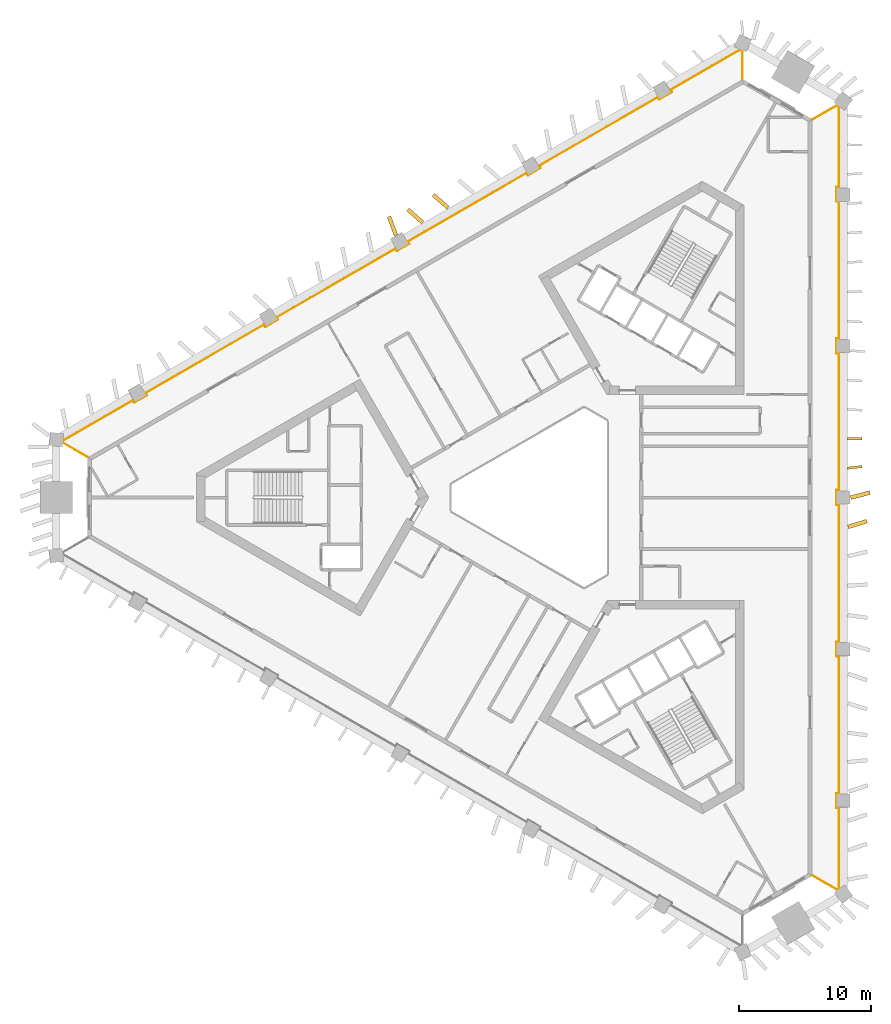
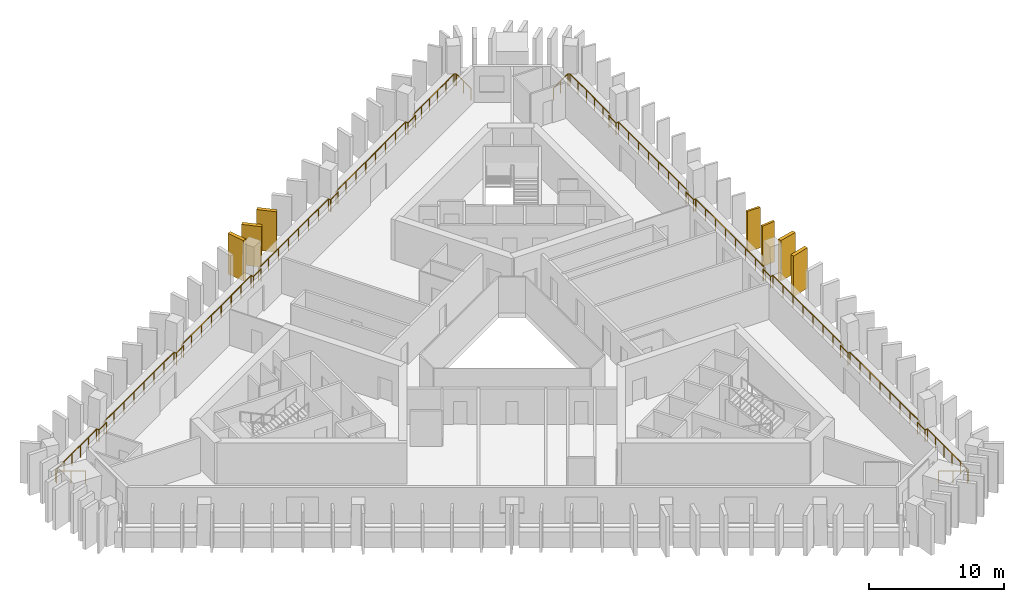
# One storey, part 9 of 10: 7 shading devices, 2 railings.
"""IFC4 building model written with IfcOpenShell, lengths in metres."""

from ifc_helpers import new_model, si_unit, direction, frame, frame_2d, origin, origin_2d, place, context, subcontext, project, spatial, rectangle, circle, extrude, material, layer, layer_set, type_object, element, save


model = new_model("IFC4")

# Units and contexts
model_context = context("Model", 3, precision=1e-05, world=origin(), true_north=direction((0.0, 1.0)))
body_context = subcontext(model_context, "Body", "Model", "MODEL_VIEW")
ifc_project = project(units=[si_unit("LENGTHUNIT", "METRE"), si_unit("AREAUNIT", "SQUARE_METRE"), si_unit("VOLUMEUNIT", "CUBIC_METRE"), si_unit("PLANEANGLEUNIT", "RADIAN"), si_unit("MASSUNIT", "GRAM", prefix="KILO")], contexts=[model_context])

# Site, building, storey
site_placement = place(None, origin())
site = spatial("IfcSite", under=ifc_project, at=site_placement, CompositionType="ELEMENT")
building_placement = place(site_placement, origin())
building = spatial("IfcBuilding", under=site, at=building_placement, Name="Jabali Bay Hotel Tower and Convention Centre", CompositionType="ELEMENT")
storey_placement = place(building_placement, frame((0.0, 0.0, 110.5)))
storey = spatial("IfcBuildingStorey", under=building, at=storey_placement, Name="L26", CompositionType="ELEMENT", Elevation=110.5)

# Railings
ifc_material_1 = material(Name="Glass", Category="glass")
railing_type = type_object("IfcRailingType", Name="Loggia glass guard 1100", PredefinedType="BALUSTRADE", material=ifc_material_1)
railing_1_placement = place(storey_placement, frame((95.07470703125, 108.634033203125, 0.0)))
element("IfcRailing", 1, at=railing_1_placement, inside=storey, type_object=railing_type, Name="Loggia glass guard L26", PredefinedType="BALUSTRADE", context=body_context, shape_type="SweptSolid", body=[
    extrude(circle(Radius=0.02490234375, at=origin_2d()), frame((0.0, 0.0, 1.0751953125), z_axis=(0.866056034881, 0.49994694163, 0.0), x_axis=(-0.495669826239, 0.858646805445, 0.13052619222)), (0.0, 0.0, 1.0), 2.165283203125),
    extrude(circle(Radius=0.02490234375, at=origin_2d()), frame((1.875244140625, 1.08251953125, 1.0751953125), z_axis=(0.800939455023, -0.598745346025, 0.0), x_axis=(0.593622996588, 0.794087306954, 0.13052619222)), (0.0, 0.0, 1.0), 0.15576171875),
    extrude(circle(Radius=0.02490234375, at=origin_2d()), frame((2.0, 0.9892578125, 1.0751953125), z_axis=(0.0, -1.0, 0.0), x_axis=(0.991444861374, 0.0, 0.13052619222)), (0.0, 0.0, 1.0), 6.110107421875),
    extrude(circle(Radius=0.02490234375, at=origin_2d()), frame((2.0, -5.120849609375, 1.0751953125), z_axis=(-1.0, 0.0, 0.0), x_axis=(0.0, -0.991444861374, 0.13052619222)), (0.0, 0.0, 1.0), 0.199951171875),
    extrude(circle(Radius=0.02490234375, at=origin_2d()), frame((1.800048828125, -5.120849609375, 1.0751953125), z_axis=(0.0, -1.0, 0.0), x_axis=(0.991444861374, 0.0, 0.13052619222)), (0.0, 0.0, 1.0), 1.10009765625),
    extrude(circle(Radius=0.02490234375, at=origin_2d()), frame((1.800048828125, -6.220947265625, 1.0751953125), z_axis=(1.0, 0.0, 0.0), x_axis=(0.0, 0.991444861374, 0.13052619222)), (0.0, 0.0, 1.0), 0.199951171875),
    extrude(circle(Radius=0.02490234375, at=origin_2d()), frame((2.0, -6.220947265625, 1.0751953125), z_axis=(0.0, -1.0, 0.0), x_axis=(0.991444861374, 0.0, 0.13052619222)), (0.0, 0.0, 1.0), 10.381591796875),
    extrude(circle(Radius=0.02490234375, at=origin_2d()), frame((2.0, -16.6025390625, 1.0751953125), z_axis=(-1.0, 0.0, 0.0), x_axis=(0.0, -0.991444861374, 0.13052619222)), (0.0, 0.0, 1.0), 0.199951171875),
    extrude(circle(Radius=0.02490234375, at=origin_2d()), frame((1.800048828125, -16.6025390625, 1.0751953125), z_axis=(0.0, -1.0, 0.0), x_axis=(0.991444861374, 0.0, 0.13052619222)), (0.0, 0.0, 1.0), 1.099853515625),
    extrude(circle(Radius=0.02490234375, at=origin_2d()), frame((1.800048828125, -17.702392578125, 1.0751953125), z_axis=(1.0, 0.0, 0.0), x_axis=(0.0, 0.991444861374, 0.13052619222)), (0.0, 0.0, 1.0), 0.199951171875),
    extrude(circle(Radius=0.02490234375, at=origin_2d()), frame((2.0, -17.702392578125, 1.0751953125), z_axis=(0.0, -1.0, 0.0), x_axis=(0.991444861374, 0.0, 0.13052619222)), (0.0, 0.0, 1.0), 10.381591796875),
    extrude(circle(Radius=0.02490234375, at=origin_2d()), frame((2.0, -28.083984375, 1.0751953125), z_axis=(-1.0, 0.0, 0.0), x_axis=(0.0, -0.991444861374, 0.13052619222)), (0.0, 0.0, 1.0), 0.199951171875),
    extrude(circle(Radius=0.02490234375, at=origin_2d()), frame((1.800048828125, -28.083984375, 1.0751953125), z_axis=(0.0, -1.0, 0.0), x_axis=(0.991444861374, 0.0, 0.13052619222)), (0.0, 0.0, 1.0), 1.10009765625),
    extrude(circle(Radius=0.02490234375, at=origin_2d()), frame((1.800048828125, -29.18408203125, 1.0751953125), z_axis=(1.0, 0.0, 0.0), x_axis=(0.0, 0.991444861374, 0.13052619222)), (0.0, 0.0, 1.0), 0.199951171875),
    extrude(circle(Radius=0.02490234375, at=origin_2d()), frame((2.0, -29.18408203125, 1.0751953125), z_axis=(0.0, -1.0, 0.0), x_axis=(0.991444861374, 0.0, 0.13052619222)), (0.0, 0.0, 1.0), 10.381591796875),
    extrude(circle(Radius=0.02490234375, at=origin_2d()), frame((2.0, -39.565673828125, 1.0751953125), z_axis=(-1.0, 0.0, 0.0), x_axis=(0.0, -0.991444861374, 0.13052619222)), (0.0, 0.0, 1.0), 0.199951171875),
    extrude(circle(Radius=0.02490234375, at=origin_2d()), frame((1.800048828125, -39.565673828125, 1.0751953125), z_axis=(0.0, -1.0, 0.0), x_axis=(0.991444861374, 0.0, 0.13052619222)), (0.0, 0.0, 1.0), 1.099853515625),
    extrude(circle(Radius=0.02490234375, at=origin_2d()), frame((1.800048828125, -40.66552734375, 1.0751953125), z_axis=(1.0, 0.0, 0.0), x_axis=(0.0, 0.991444861374, 0.13052619222)), (0.0, 0.0, 1.0), 0.199951171875),
    extrude(circle(Radius=0.02490234375, at=origin_2d()), frame((2.0, -40.66552734375, 1.0751953125), z_axis=(0.0, -1.0, 0.0), x_axis=(0.991444861374, 0.0, 0.13052619222)), (0.0, 0.0, 1.0), 10.381591796875),
    extrude(circle(Radius=0.02490234375, at=origin_2d()), frame((2.0, -51.047119140625, 1.0751953125), z_axis=(-1.0, 0.0, 0.0), x_axis=(0.0, -0.991444861374, 0.13052619222)), (0.0, 0.0, 1.0), 0.199951171875),
    extrude(circle(Radius=0.02490234375, at=origin_2d()), frame((1.800048828125, -51.047119140625, 1.0751953125), z_axis=(0.0, -1.0, 0.0), x_axis=(0.991444861374, 0.0, 0.13052619222)), (0.0, 0.0, 1.0), 1.10009765625),
    extrude(circle(Radius=0.02490234375, at=origin_2d()), frame((1.800048828125, -52.147216796875, 1.0751953125), z_axis=(1.0, 0.0, 0.0), x_axis=(0.0, 0.991444861374, 0.13052619222)), (0.0, 0.0, 1.0), 0.199951171875),
    extrude(circle(Radius=0.02490234375, at=origin_2d()), frame((2.0, -52.147216796875, 1.0751953125), z_axis=(0.0, -1.0, 0.0), x_axis=(0.991444861374, 0.0, 0.13052619222)), (0.0, 0.0, 1.0), 6.110107421875),
    extrude(circle(Radius=0.02490234375, at=origin_2d()), frame((2.0, -58.25732421875, 1.0751953125), z_axis=(-0.800939455023, -0.598745346025, 0.0), x_axis=(0.593622996588, -0.794087306954, 0.13052619222)), (0.0, 0.0, 1.0), 0.15576171875),
    extrude(circle(Radius=0.02490234375, at=origin_2d()), frame((1.875244140625, -58.3505859375, 1.0751953125), z_axis=(-0.866056034881, 0.49994694163, 0.0), x_axis=(-0.495669826239, -0.858646805445, 0.13052619222)), (0.0, 0.0, 1.0), 2.165283203125),
    extrude(circle(Radius=0.02001953125, at=origin_2d()), origin(), (0.0, 0.0, 1.0), 1.050048828125),
    extrude(circle(Radius=0.02001953125, at=origin_2d()), frame((0.9375, 0.541259765625, 0.0)), (0.0, 0.0, 1.0), 1.050048828125),
    extrude(circle(Radius=0.02001953125, at=origin_2d()), frame((1.875244140625, 1.08251953125, 0.0)), (0.0, 0.0, 1.0), 1.050048828125),
    extrude(circle(Radius=0.02001953125, at=origin_2d()), frame((2.0, 0.9892578125, 0.0)), (0.0, 0.0, 1.0), 1.050048828125),
    extrude(circle(Radius=0.02001953125, at=origin_2d()), frame((2.0, -0.232666015625, 0.0)), (0.0, 0.0, 1.0), 1.050048828125),
    extrude(circle(Radius=0.02001953125, at=origin_2d()), frame((2.0, -1.454833984375, 0.0)), (0.0, 0.0, 1.0), 1.050048828125),
    extrude(circle(Radius=0.02001953125, at=origin_2d()), frame((2.0, -2.6767578125, 0.0)), (0.0, 0.0, 1.0), 1.050048828125),
    extrude(circle(Radius=0.02001953125, at=origin_2d()), frame((2.0, -3.89892578125, 0.0)), (0.0, 0.0, 1.0), 1.050048828125),
    extrude(circle(Radius=0.02001953125, at=origin_2d()), frame((2.0, -5.120849609375, 0.0)), (0.0, 0.0, 1.0), 1.050048828125),
    extrude(circle(Radius=0.02001953125, at=origin_2d()), frame((1.800048828125, -5.120849609375, 0.0)), (0.0, 0.0, 1.0), 1.050048828125),
    extrude(circle(Radius=0.02001953125, at=origin_2d()), frame((1.800048828125, -6.220947265625, 0.0)), (0.0, 0.0, 1.0), 1.050048828125),
    extrude(circle(Radius=0.02001953125, at=origin_2d()), frame((2.0, -6.220947265625, 0.0)), (0.0, 0.0, 1.0), 1.050048828125),
    extrude(circle(Radius=0.02001953125, at=origin_2d()), frame((2.0, -7.7041015625, 0.0)), (0.0, 0.0, 1.0), 1.050048828125),
    extrude(circle(Radius=0.02001953125, at=origin_2d()), frame((2.0, -9.18701171875, 0.0)), (0.0, 0.0, 1.0), 1.050048828125),
    extrude(circle(Radius=0.02001953125, at=origin_2d()), frame((2.0, -10.670166015625, 0.0)), (0.0, 0.0, 1.0), 1.050048828125),
    extrude(circle(Radius=0.02001953125, at=origin_2d()), frame((2.0, -12.1533203125, 0.0)), (0.0, 0.0, 1.0), 1.050048828125),
    extrude(circle(Radius=0.02001953125, at=origin_2d()), frame((2.0, -13.636474609375, 0.0)), (0.0, 0.0, 1.0), 1.050048828125),
    extrude(circle(Radius=0.02001953125, at=origin_2d()), frame((2.0, -15.119384765625, 0.0)), (0.0, 0.0, 1.0), 1.050048828125),
    extrude(circle(Radius=0.02001953125, at=origin_2d()), frame((2.0, -16.6025390625, 0.0)), (0.0, 0.0, 1.0), 1.050048828125),
    extrude(circle(Radius=0.02001953125, at=origin_2d()), frame((1.800048828125, -16.6025390625, 0.0)), (0.0, 0.0, 1.0), 1.050048828125),
    extrude(circle(Radius=0.02001953125, at=origin_2d()), frame((1.800048828125, -17.702392578125, 0.0)), (0.0, 0.0, 1.0), 1.050048828125),
    extrude(circle(Radius=0.02001953125, at=origin_2d()), frame((2.0, -17.702392578125, 0.0)), (0.0, 0.0, 1.0), 1.050048828125),
    extrude(circle(Radius=0.02001953125, at=origin_2d()), frame((2.0, -19.185546875, 0.0)), (0.0, 0.0, 1.0), 1.050048828125),
    extrude(circle(Radius=0.02001953125, at=origin_2d()), frame((2.0, -20.66845703125, 0.0)), (0.0, 0.0, 1.0), 1.050048828125),
    extrude(circle(Radius=0.02001953125, at=origin_2d()), frame((2.0, -22.151611328125, 0.0)), (0.0, 0.0, 1.0), 1.050048828125),
    extrude(circle(Radius=0.02001953125, at=origin_2d()), frame((2.0, -23.634765625, 0.0)), (0.0, 0.0, 1.0), 1.050048828125),
    extrude(circle(Radius=0.02001953125, at=origin_2d()), frame((2.0, -25.117919921875, 0.0)), (0.0, 0.0, 1.0), 1.050048828125),
    extrude(circle(Radius=0.02001953125, at=origin_2d()), frame((2.0, -26.600830078125, 0.0)), (0.0, 0.0, 1.0), 1.050048828125),
    extrude(circle(Radius=0.02001953125, at=origin_2d()), frame((2.0, -28.083984375, 0.0)), (0.0, 0.0, 1.0), 1.050048828125),
    extrude(circle(Radius=0.02001953125, at=origin_2d()), frame((1.800048828125, -28.083984375, 0.0)), (0.0, 0.0, 1.0), 1.050048828125),
    extrude(circle(Radius=0.02001953125, at=origin_2d()), frame((1.800048828125, -29.18408203125, 0.0)), (0.0, 0.0, 1.0), 1.050048828125),
    extrude(circle(Radius=0.02001953125, at=origin_2d()), frame((2.0, -29.18408203125, 0.0)), (0.0, 0.0, 1.0), 1.050048828125),
    extrude(circle(Radius=0.02001953125, at=origin_2d()), frame((2.0, -30.667236328125, 0.0)), (0.0, 0.0, 1.0), 1.050048828125),
    extrude(circle(Radius=0.02001953125, at=origin_2d()), frame((2.0, -32.150146484375, 0.0)), (0.0, 0.0, 1.0), 1.050048828125),
    extrude(circle(Radius=0.02001953125, at=origin_2d()), frame((2.0, -33.63330078125, 0.0)), (0.0, 0.0, 1.0), 1.050048828125),
    extrude(circle(Radius=0.02001953125, at=origin_2d()), frame((2.0, -35.116455078125, 0.0)), (0.0, 0.0, 1.0), 1.050048828125),
    extrude(circle(Radius=0.02001953125, at=origin_2d()), frame((2.0, -36.599609375, 0.0)), (0.0, 0.0, 1.0), 1.050048828125),
    extrude(circle(Radius=0.02001953125, at=origin_2d()), frame((2.0, -38.08251953125, 0.0)), (0.0, 0.0, 1.0), 1.050048828125),
    extrude(circle(Radius=0.02001953125, at=origin_2d()), frame((2.0, -39.565673828125, 0.0)), (0.0, 0.0, 1.0), 1.050048828125),
    extrude(circle(Radius=0.02001953125, at=origin_2d()), frame((1.800048828125, -39.565673828125, 0.0)), (0.0, 0.0, 1.0), 1.050048828125),
    extrude(circle(Radius=0.02001953125, at=origin_2d()), frame((1.800048828125, -40.66552734375, 0.0)), (0.0, 0.0, 1.0), 1.050048828125),
    extrude(circle(Radius=0.02001953125, at=origin_2d()), frame((2.0, -40.66552734375, 0.0)), (0.0, 0.0, 1.0), 1.050048828125),
    extrude(circle(Radius=0.02001953125, at=origin_2d()), frame((2.0, -42.148681640625, 0.0)), (0.0, 0.0, 1.0), 1.050048828125),
    extrude(circle(Radius=0.02001953125, at=origin_2d()), frame((2.0, -43.631591796875, 0.0)), (0.0, 0.0, 1.0), 1.050048828125),
    extrude(circle(Radius=0.02001953125, at=origin_2d()), frame((2.0, -45.11474609375, 0.0)), (0.0, 0.0, 1.0), 1.050048828125),
    extrude(circle(Radius=0.02001953125, at=origin_2d()), frame((2.0, -46.597900390625, 0.0)), (0.0, 0.0, 1.0), 1.050048828125),
    extrude(circle(Radius=0.02001953125, at=origin_2d()), frame((2.0, -48.0810546875, 0.0)), (0.0, 0.0, 1.0), 1.050048828125),
    extrude(circle(Radius=0.02001953125, at=origin_2d()), frame((2.0, -49.56396484375, 0.0)), (0.0, 0.0, 1.0), 1.050048828125),
    extrude(circle(Radius=0.02001953125, at=origin_2d()), frame((2.0, -51.047119140625, 0.0)), (0.0, 0.0, 1.0), 1.050048828125),
    extrude(circle(Radius=0.02001953125, at=origin_2d()), frame((1.800048828125, -51.047119140625, 0.0)), (0.0, 0.0, 1.0), 1.050048828125),
    extrude(circle(Radius=0.02001953125, at=origin_2d()), frame((1.800048828125, -52.147216796875, 0.0)), (0.0, 0.0, 1.0), 1.050048828125),
    extrude(circle(Radius=0.02001953125, at=origin_2d()), frame((2.0, -52.147216796875, 0.0)), (0.0, 0.0, 1.0), 1.050048828125),
    extrude(circle(Radius=0.02001953125, at=origin_2d()), frame((2.0, -53.369140625, 0.0)), (0.0, 0.0, 1.0), 1.050048828125),
    extrude(circle(Radius=0.02001953125, at=origin_2d()), frame((2.0, -54.59130859375, 0.0)), (0.0, 0.0, 1.0), 1.050048828125),
    extrude(circle(Radius=0.02001953125, at=origin_2d()), frame((2.0, -55.813232421875, 0.0)), (0.0, 0.0, 1.0), 1.050048828125),
    extrude(circle(Radius=0.02001953125, at=origin_2d()), frame((2.0, -57.035400390625, 0.0)), (0.0, 0.0, 1.0), 1.050048828125),
    extrude(circle(Radius=0.02001953125, at=origin_2d()), frame((2.0, -58.25732421875, 0.0)), (0.0, 0.0, 1.0), 1.050048828125),
    extrude(circle(Radius=0.02001953125, at=origin_2d()), frame((1.875244140625, -58.3505859375, 0.0)), (0.0, 0.0, 1.0), 1.050048828125),
    extrude(circle(Radius=0.02001953125, at=origin_2d()), frame((0.9375, -57.809326171875, 0.0)), (0.0, 0.0, 1.0), 1.050048828125),
    extrude(circle(Radius=0.02001953125, at=origin_2d()), frame((0.0, -57.26806640625, 0.0)), (0.0, 0.0, 1.0), 1.050048828125),
])
railing_2_placement = place(storey_placement, frame((40.164794921875, 83.068359375, 0.0)))
element("IfcRailing", 2, at=railing_2_placement, inside=storey, type_object=railing_type, Name="Loggia glass guard L26", PredefinedType="BALUSTRADE", context=body_context, shape_type="SweptSolid", body=[
    extrude(circle(Radius=0.02490234375, at=origin_2d()), frame((0.0, 0.0, 1.0751953125), z_axis=(-0.866027848477, 0.499995765644, 0.0), x_axis=(-0.495718232557, -0.858618860179, 0.13052619222)), (0.0, 0.0, 1.0), 2.1650390625),
    extrude(circle(Radius=0.02490234375, at=origin_2d()), frame((-1.875, 1.08251953125, 1.0751953125), z_axis=(0.117477392411, 0.993075557182, 0.0), x_axis=(-0.984579658124, 0.116472357034, 0.13052619222)), (0.0, 0.0, 1.0), 0.15576171875),
    extrude(circle(Radius=0.02490234375, at=origin_2d()), frame((-1.856689453125, 1.2373046875, 1.0751953125), z_axis=(0.866016575208, 0.500015291231, 0.0), x_axis=(-0.4957375911, 0.858607683354, 0.13052619222)), (0.0, 0.0, 1.0), 6.110107421875),
    extrude(circle(Radius=0.02490234375, at=origin_2d()), frame((3.434814453125, 4.29248046875, 1.0751953125), z_axis=(0.500074377092, -0.865982457891, 0.0), x_axis=(0.858573857916, 0.495796171473, 0.13052619222)), (0.0, 0.0, 1.0), 0.2001953125),
    extrude(circle(Radius=0.02490234375, at=origin_2d()), frame((3.534912109375, 4.119140625, 1.0751953125), z_axis=(0.866008176907, 0.50002983664, 0.0), x_axis=(-0.495752012071, 0.858599356902, 0.13052619222)), (0.0, 0.0, 1.0), 1.10009765625),
    extrude(circle(Radius=0.02490234375, at=origin_2d()), frame((4.487548828125, 4.669189453125, 1.0751953125), z_axis=(-0.500074377092, 0.865982457891, 0.0), x_axis=(-0.858573857916, -0.495796171473, 0.13052619222)), (0.0, 0.0, 1.0), 0.2001953125),
    extrude(circle(Radius=0.02490234375, at=origin_2d()), frame((4.387451171875, 4.842529296875, 1.0751953125), z_axis=(0.866030505598, 0.499991163296, 0.0), x_axis=(-0.495713669582, 0.858621494568, 0.13052619222)), (0.0, 0.0, 1.0), 10.381591796875),
    extrude(circle(Radius=0.02490234375, at=origin_2d()), frame((13.378173828125, 10.033203125, 1.0751953125), z_axis=(0.500603037456, -0.865676959893, 0.0), x_axis=(0.858270973496, 0.496320309074, 0.13052619222)), (0.0, 0.0, 1.0), 0.199951171875),
    extrude(circle(Radius=0.02490234375, at=origin_2d()), frame((13.478271484375, 9.860107421875, 1.0751953125), z_axis=(0.866104278045, 0.499863360881, 0.0), x_axis=(-0.495586960535, 0.858694635882, 0.13052619222)), (0.0, 0.0, 1.0), 1.099853515625),
    extrude(circle(Radius=0.02490234375, at=origin_2d()), frame((14.430908203125, 10.409912109375, 1.0751953125), z_axis=(-0.500074377092, 0.865982457891, 0.0), x_axis=(-0.858573857916, -0.495796171473, 0.13052619222)), (0.0, 0.0, 1.0), 0.2001953125),
    extrude(circle(Radius=0.02490234375, at=origin_2d()), frame((14.330810546875, 10.583251953125, 1.0751953125), z_axis=(0.866030505598, 0.499991163296, 0.0), x_axis=(-0.495713669582, 0.858621494568, 0.13052619222)), (0.0, 0.0, 1.0), 10.381591796875),
    extrude(circle(Radius=0.02490234375, at=origin_2d()), frame((23.321533203125, 15.77392578125, 1.0751953125), z_axis=(0.499687197852, -0.866205924883, 0.0), x_axis=(0.858795413117, 0.495412304605, 0.13052619222)), (0.0, 0.0, 1.0), 0.199951171875),
    extrude(circle(Radius=0.02490234375, at=origin_2d()), frame((23.42138671875, 15.600830078125, 1.0751953125), z_axis=(0.866008176907, 0.50002983664, 0.0), x_axis=(-0.495752012071, 0.858599356902, 0.13052619222)), (0.0, 0.0, 1.0), 1.10009765625),
    extrude(circle(Radius=0.02490234375, at=origin_2d()), frame((24.3740234375, 16.15087890625, 1.0751953125), z_axis=(-0.499687197852, 0.866205924883, 0.0), x_axis=(-0.858795413117, -0.495412304605, 0.13052619222)), (0.0, 0.0, 1.0), 0.199951171875),
    extrude(circle(Radius=0.02490234375, at=origin_2d()), frame((24.274169921875, 16.323974609375, 1.0751953125), z_axis=(0.866030505598, 0.499991163296, 0.0), x_axis=(-0.495713669582, 0.858621494568, 0.13052619222)), (0.0, 0.0, 1.0), 10.381591796875),
    extrude(circle(Radius=0.02490234375, at=origin_2d()), frame((33.264892578125, 21.5146484375, 1.0751953125), z_axis=(0.499687197852, -0.866205924883, 0.0), x_axis=(0.858795413117, 0.495412304605, 0.13052619222)), (0.0, 0.0, 1.0), 0.199951171875),
    extrude(circle(Radius=0.02490234375, at=origin_2d()), frame((33.36474609375, 21.341552734375, 1.0751953125), z_axis=(0.866008176907, 0.50002983664, 0.0), x_axis=(-0.495752012071, 0.858599356902, 0.13052619222)), (0.0, 0.0, 1.0), 1.10009765625),
    extrude(circle(Radius=0.02490234375, at=origin_2d()), frame((34.3173828125, 21.8916015625, 1.0751953125), z_axis=(-0.499687197852, 0.866205924883, 0.0), x_axis=(-0.858795413117, -0.495412304605, 0.13052619222)), (0.0, 0.0, 1.0), 0.199951171875),
    extrude(circle(Radius=0.02490234375, at=origin_2d()), frame((34.217529296875, 22.064697265625, 1.0751953125), z_axis=(0.866014443052, 0.500018984065, 0.0), x_axis=(-0.49574125234, 0.85860556944, 0.13052619222)), (0.0, 0.0, 1.0), 10.38134765625),
    extrude(circle(Radius=0.02490234375, at=origin_2d()), frame((43.2080078125, 27.255615234375, 1.0751953125), z_axis=(0.500074377092, -0.865982457891, 0.0), x_axis=(0.858573857916, 0.495796171473, 0.13052619222)), (0.0, 0.0, 1.0), 0.2001953125),
    extrude(circle(Radius=0.02490234375, at=origin_2d()), frame((43.30810546875, 27.082275390625, 1.0751953125), z_axis=(0.866008176907, 0.50002983664, 0.0), x_axis=(-0.495752012071, 0.858599356902, 0.13052619222)), (0.0, 0.0, 1.0), 1.10009765625),
    extrude(circle(Radius=0.02490234375, at=origin_2d()), frame((44.2607421875, 27.63232421875, 1.0751953125), z_axis=(-0.500603037456, 0.865676959893, 0.0), x_axis=(-0.858270973496, -0.496320309074, 0.13052619222)), (0.0, 0.0, 1.0), 0.199951171875),
    extrude(circle(Radius=0.02490234375, at=origin_2d()), frame((44.16064453125, 27.805419921875, 1.0751953125), z_axis=(0.866026564418, 0.499997989718, 0.0), x_axis=(-0.495720437603, 0.858617587106, 0.13052619222)), (0.0, 0.0, 1.0), 6.1103515625),
    extrude(circle(Radius=0.02490234375, at=origin_2d()), frame((49.452392578125, 30.860595703125, 1.0751953125), z_axis=(0.918657809016, -0.395054211386, 0.0), x_axis=(0.391674467843, 0.91079856411, 0.13052619222)), (0.0, 0.0, 1.0), 0.15576171875),
    extrude(circle(Radius=0.02490234375, at=origin_2d()), frame((49.595458984375, 30.799072265625, 1.0751953125), z_axis=(0.0, -1.0, 0.0), x_axis=(0.991444861374, 0.0, 0.13052619222)), (0.0, 0.0, 1.0), 2.165283203125),
    extrude(circle(Radius=0.02001953125, at=origin_2d()), origin(), (0.0, 0.0, 1.0), 1.050048828125),
    extrude(circle(Radius=0.02001953125, at=origin_2d()), frame((-0.9375, 0.541259765625, 0.0)), (0.0, 0.0, 1.0), 1.050048828125),
    extrude(circle(Radius=0.02001953125, at=origin_2d()), frame((-1.875, 1.08251953125, 0.0)), (0.0, 0.0, 1.0), 1.050048828125),
    extrude(circle(Radius=0.02001953125, at=origin_2d()), frame((-1.856689453125, 1.2373046875, 0.0)), (0.0, 0.0, 1.0), 1.050048828125),
    extrude(circle(Radius=0.02001953125, at=origin_2d()), frame((-0.79833984375, 1.848388671875, 0.0)), (0.0, 0.0, 1.0), 1.050048828125),
    extrude(circle(Radius=0.02001953125, at=origin_2d()), frame((0.260009765625, 2.45947265625, 0.0)), (0.0, 0.0, 1.0), 1.050048828125),
    extrude(circle(Radius=0.02001953125, at=origin_2d()), frame((1.318115234375, 3.0703125, 0.0)), (0.0, 0.0, 1.0), 1.050048828125),
    extrude(circle(Radius=0.02001953125, at=origin_2d()), frame((2.37646484375, 3.681396484375, 0.0)), (0.0, 0.0, 1.0), 1.050048828125),
    extrude(circle(Radius=0.02001953125, at=origin_2d()), frame((3.434814453125, 4.29248046875, 0.0)), (0.0, 0.0, 1.0), 1.050048828125),
    extrude(circle(Radius=0.02001953125, at=origin_2d()), frame((3.534912109375, 4.119140625, 0.0)), (0.0, 0.0, 1.0), 1.050048828125),
    extrude(circle(Radius=0.02001953125, at=origin_2d()), frame((4.487548828125, 4.669189453125, 0.0)), (0.0, 0.0, 1.0), 1.050048828125),
    extrude(circle(Radius=0.02001953125, at=origin_2d()), frame((4.387451171875, 4.842529296875, 0.0)), (0.0, 0.0, 1.0), 1.050048828125),
    extrude(circle(Radius=0.02001953125, at=origin_2d()), frame((5.671875, 5.583984375, 0.0)), (0.0, 0.0, 1.0), 1.050048828125),
    extrude(circle(Radius=0.02001953125, at=origin_2d()), frame((6.956298828125, 6.32568359375, 0.0)), (0.0, 0.0, 1.0), 1.050048828125),
    extrude(circle(Radius=0.02001953125, at=origin_2d()), frame((8.24072265625, 7.067138671875, 0.0)), (0.0, 0.0, 1.0), 1.050048828125),
    extrude(circle(Radius=0.02001953125, at=origin_2d()), frame((9.52490234375, 7.80859375, 0.0)), (0.0, 0.0, 1.0), 1.050048828125),
    extrude(circle(Radius=0.02001953125, at=origin_2d()), frame((10.809326171875, 8.550048828125, 0.0)), (0.0, 0.0, 1.0), 1.050048828125),
    extrude(circle(Radius=0.02001953125, at=origin_2d()), frame((12.09375, 9.291748046875, 0.0)), (0.0, 0.0, 1.0), 1.050048828125),
    extrude(circle(Radius=0.02001953125, at=origin_2d()), frame((13.378173828125, 10.033203125, 0.0)), (0.0, 0.0, 1.0), 1.050048828125),
    extrude(circle(Radius=0.02001953125, at=origin_2d()), frame((13.478271484375, 9.860107421875, 0.0)), (0.0, 0.0, 1.0), 1.050048828125),
    extrude(circle(Radius=0.02001953125, at=origin_2d()), frame((14.430908203125, 10.409912109375, 0.0)), (0.0, 0.0, 1.0), 1.050048828125),
    extrude(circle(Radius=0.02001953125, at=origin_2d()), frame((14.330810546875, 10.583251953125, 0.0)), (0.0, 0.0, 1.0), 1.050048828125),
    extrude(circle(Radius=0.02001953125, at=origin_2d()), frame((15.615234375, 11.32470703125, 0.0)), (0.0, 0.0, 1.0), 1.050048828125),
    extrude(circle(Radius=0.02001953125, at=origin_2d()), frame((16.899658203125, 12.06640625, 0.0)), (0.0, 0.0, 1.0), 1.050048828125),
    extrude(circle(Radius=0.02001953125, at=origin_2d()), frame((18.18408203125, 12.807861328125, 0.0)), (0.0, 0.0, 1.0), 1.050048828125),
    extrude(circle(Radius=0.02001953125, at=origin_2d()), frame((19.46826171875, 13.54931640625, 0.0)), (0.0, 0.0, 1.0), 1.050048828125),
    extrude(circle(Radius=0.02001953125, at=origin_2d()), frame((20.752685546875, 14.290771484375, 0.0)), (0.0, 0.0, 1.0), 1.050048828125),
    extrude(circle(Radius=0.02001953125, at=origin_2d()), frame((22.037109375, 15.032470703125, 0.0)), (0.0, 0.0, 1.0), 1.050048828125),
    extrude(circle(Radius=0.02001953125, at=origin_2d()), frame((23.321533203125, 15.77392578125, 0.0)), (0.0, 0.0, 1.0), 1.050048828125),
    extrude(circle(Radius=0.02001953125, at=origin_2d()), frame((23.42138671875, 15.600830078125, 0.0)), (0.0, 0.0, 1.0), 1.050048828125),
    extrude(circle(Radius=0.02001953125, at=origin_2d()), frame((24.3740234375, 16.15087890625, 0.0)), (0.0, 0.0, 1.0), 1.050048828125),
    extrude(circle(Radius=0.02001953125, at=origin_2d()), frame((24.274169921875, 16.323974609375, 0.0)), (0.0, 0.0, 1.0), 1.050048828125),
    extrude(circle(Radius=0.02001953125, at=origin_2d()), frame((25.55859375, 17.0654296875, 0.0)), (0.0, 0.0, 1.0), 1.050048828125),
    extrude(circle(Radius=0.02001953125, at=origin_2d()), frame((26.843017578125, 17.80712890625, 0.0)), (0.0, 0.0, 1.0), 1.050048828125),
    extrude(circle(Radius=0.02001953125, at=origin_2d()), frame((28.12744140625, 18.548583984375, 0.0)), (0.0, 0.0, 1.0), 1.050048828125),
    extrude(circle(Radius=0.02001953125, at=origin_2d()), frame((29.41162109375, 19.2900390625, 0.0)), (0.0, 0.0, 1.0), 1.050048828125),
    extrude(circle(Radius=0.02001953125, at=origin_2d()), frame((30.696044921875, 20.031494140625, 0.0)), (0.0, 0.0, 1.0), 1.050048828125),
    extrude(circle(Radius=0.02001953125, at=origin_2d()), frame((31.98046875, 20.773193359375, 0.0)), (0.0, 0.0, 1.0), 1.050048828125),
    extrude(circle(Radius=0.02001953125, at=origin_2d()), frame((33.264892578125, 21.5146484375, 0.0)), (0.0, 0.0, 1.0), 1.050048828125),
    extrude(circle(Radius=0.02001953125, at=origin_2d()), frame((33.36474609375, 21.341552734375, 0.0)), (0.0, 0.0, 1.0), 1.050048828125),
    extrude(circle(Radius=0.02001953125, at=origin_2d()), frame((34.3173828125, 21.8916015625, 0.0)), (0.0, 0.0, 1.0), 1.050048828125),
    extrude(circle(Radius=0.02001953125, at=origin_2d()), frame((34.217529296875, 22.064697265625, 0.0)), (0.0, 0.0, 1.0), 1.050048828125),
    extrude(circle(Radius=0.02001953125, at=origin_2d()), frame((35.501953125, 22.80615234375, 0.0)), (0.0, 0.0, 1.0), 1.050048828125),
    extrude(circle(Radius=0.02001953125, at=origin_2d()), frame((36.7861328125, 23.5478515625, 0.0)), (0.0, 0.0, 1.0), 1.050048828125),
    extrude(circle(Radius=0.02001953125, at=origin_2d()), frame((38.070556640625, 24.289306640625, 0.0)), (0.0, 0.0, 1.0), 1.050048828125),
    extrude(circle(Radius=0.02001953125, at=origin_2d()), frame((39.35498046875, 25.031005859375, 0.0)), (0.0, 0.0, 1.0), 1.050048828125),
    extrude(circle(Radius=0.02001953125, at=origin_2d()), frame((40.639404296875, 25.7724609375, 0.0)), (0.0, 0.0, 1.0), 1.050048828125),
    extrude(circle(Radius=0.02001953125, at=origin_2d()), frame((41.923583984375, 26.51416015625, 0.0)), (0.0, 0.0, 1.0), 1.050048828125),
    extrude(circle(Radius=0.02001953125, at=origin_2d()), frame((43.2080078125, 27.255615234375, 0.0)), (0.0, 0.0, 1.0), 1.050048828125),
    extrude(circle(Radius=0.02001953125, at=origin_2d()), frame((43.30810546875, 27.082275390625, 0.0)), (0.0, 0.0, 1.0), 1.050048828125),
    extrude(circle(Radius=0.02001953125, at=origin_2d()), frame((44.2607421875, 27.63232421875, 0.0)), (0.0, 0.0, 1.0), 1.050048828125),
    extrude(circle(Radius=0.02001953125, at=origin_2d()), frame((44.16064453125, 27.805419921875, 0.0)), (0.0, 0.0, 1.0), 1.050048828125),
    extrude(circle(Radius=0.02001953125, at=origin_2d()), frame((45.218994140625, 28.41650390625, 0.0)), (0.0, 0.0, 1.0), 1.050048828125),
    extrude(circle(Radius=0.02001953125, at=origin_2d()), frame((46.27734375, 29.027587890625, 0.0)), (0.0, 0.0, 1.0), 1.050048828125),
    extrude(circle(Radius=0.02001953125, at=origin_2d()), frame((47.335693359375, 29.638427734375, 0.0)), (0.0, 0.0, 1.0), 1.050048828125),
    extrude(circle(Radius=0.02001953125, at=origin_2d()), frame((48.39404296875, 30.24951171875, 0.0)), (0.0, 0.0, 1.0), 1.050048828125),
    extrude(circle(Radius=0.02001953125, at=origin_2d()), frame((49.452392578125, 30.860595703125, 0.0)), (0.0, 0.0, 1.0), 1.050048828125),
    extrude(circle(Radius=0.02001953125, at=origin_2d()), frame((49.595458984375, 30.799072265625, 0.0)), (0.0, 0.0, 1.0), 1.050048828125),
    extrude(circle(Radius=0.02001953125, at=origin_2d()), frame((49.595458984375, 29.71630859375, 0.0)), (0.0, 0.0, 1.0), 1.050048828125),
    extrude(circle(Radius=0.02001953125, at=origin_2d()), frame((49.595458984375, 28.6337890625, 0.0)), (0.0, 0.0, 1.0), 1.050048828125),
])

# Shading devices
ifc_material_2 = material(Name="Precast concrete C60", Category="concrete")
ifc_layer_1 = layer(ifc_material_2, 0.179931640625)
ifc_layer_set_1 = layer_set([ifc_layer_1], Name="Precast concrete C60")
shading_device_type_1 = type_object("IfcShadingDeviceType", Name="Precast fin 3680 x 1100", PredefinedType="USERDEFINED", material=ifc_layer_set_1)
for number, where, z_axis, x_axis, name in (
    (3, (97.727294921875, 82.225830078125, 0.010009765625), (0.0, 0.0, 1.0), (0.993549114212, 0.113402635104, 0.0), "Fin L26 014"),
    (4, (97.71728515625, 84.45166015625, 0.010009765625), (0.0, 0.0, 1.0), (0.999998423962, -0.001775407766, 0.0), "Fin L26 015"),
):
    element("IfcShadingDevice", number, at=place(storey_placement, frame(where, z_axis=z_axis, x_axis=x_axis)), inside=storey, type_object=shading_device_type_1, Name=name, ObjectType="FIN", PredefinedType="USERDEFINED", context=body_context, shape_type="SweptSolid", body=[
        extrude(rectangle(XDim=1.10009765625, YDim=0.179931640625, at=frame_2d((0.550048828125, 0.0))), origin(), (0.0, 0.0, 1.0), 3.679931640625),
    ])
ifc_layer_2 = layer(ifc_material_2, 0.300048828125)
ifc_layer_set_2 = layer_set([ifc_layer_2], Name="Precast concrete C60")
shading_device_type_2 = type_object("IfcShadingDeviceType", Name="Precast fin 3680 x 1500", PredefinedType="USERDEFINED", material=ifc_layer_set_2)
shading_device_1_placement = place(storey_placement, frame((97.761474609375, 77.774169921875, 0.010009765625), z_axis=(0.0, 0.0, 1.0), x_axis=(0.955281512697, 0.295697871988, 0.0)))
element("IfcShadingDevice", 5, at=shading_device_1_placement, inside=storey, type_object=shading_device_type_2, Name="Fin L26 012", ObjectType="FIN", PredefinedType="USERDEFINED", context=body_context, shape_type="SweptSolid", body=[
    extrude(rectangle(XDim=1.500244140625, YDim=0.300048828125, at=frame_2d((0.75, 0.0))), origin(), (0.0, 0.0, 1.0), 3.679931640625),
])
shading_device_2_placement = place(storey_placement, frame((97.962158203125, 80.0, 0.010009765625), z_axis=(0.0, 0.0, 1.0), x_axis=(0.968325581181, 0.249690946635, 0.0)))
element("IfcShadingDevice", 6, at=shading_device_2_placement, inside=storey, type_object=shading_device_type_2, Name="Fin L26 013", ObjectType="FIN", PredefinedType="USERDEFINED", context=body_context, shape_type="SweptSolid", body=[
    extrude(rectangle(XDim=1.5, YDim=0.300048828125, at=frame_2d((0.75, 0.0))), origin(), (0.0, 0.0, 1.0), 3.679931640625),
])
shading_device_3_placement = place(storey_placement, frame((67.47265625, 101.94091796875, 0.010009765625), z_axis=(0.0, 0.0, 1.0), x_axis=(-0.749614540616, 0.661874641074, 0.0)))
element("IfcShadingDevice", 7, at=shading_device_3_placement, inside=storey, type_object=shading_device_type_2, Name="Fin L26 046", ObjectType="FIN", PredefinedType="USERDEFINED", context=body_context, shape_type="SweptSolid", body=[
    extrude(rectangle(XDim=1.499755859375, YDim=0.300048828125, at=frame_2d((0.75, 0.0))), origin(), (0.0, 0.0, 1.0), 3.679931640625),
])
shading_device_4_placement = place(storey_placement, frame((65.545166015625, 100.827880859375, 0.010009765625), z_axis=(0.0, 0.0, 1.0), x_axis=(-0.749605089459, 0.661885344948, 0.0)))
element("IfcShadingDevice", 8, at=shading_device_4_placement, inside=storey, type_object=shading_device_type_2, Name="Fin L26 047", ObjectType="FIN", PredefinedType="USERDEFINED", context=body_context, shape_type="SweptSolid", body=[
    extrude(rectangle(XDim=1.500244140625, YDim=0.300048828125, at=frame_2d((0.75, 0.0))), origin(), (0.0, 0.0, 1.0), 3.679931640625),
])
shading_device_5_placement = place(storey_placement, frame((63.525634765625, 99.874267578125, 0.010009765625), z_axis=(0.0, 0.0, 1.0), x_axis=(-0.354349994749, 0.935112870846, 0.0)))
element("IfcShadingDevice", 9, at=shading_device_5_placement, inside=storey, type_object=shading_device_type_2, Name="Fin L26 048", ObjectType="FIN", PredefinedType="USERDEFINED", context=body_context, shape_type="SweptSolid", body=[
    extrude(rectangle(XDim=1.5, YDim=0.300048828125, at=frame_2d((0.75, 0.0))), origin(), (0.0, 0.0, 1.0), 3.679931640625),
])

save(model, "model.ifc")
